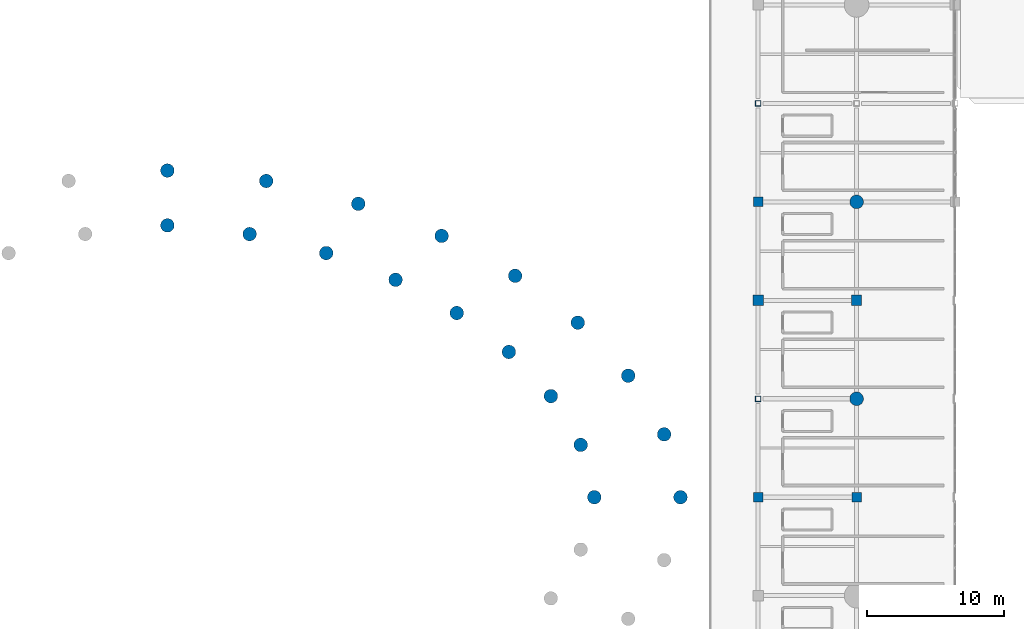
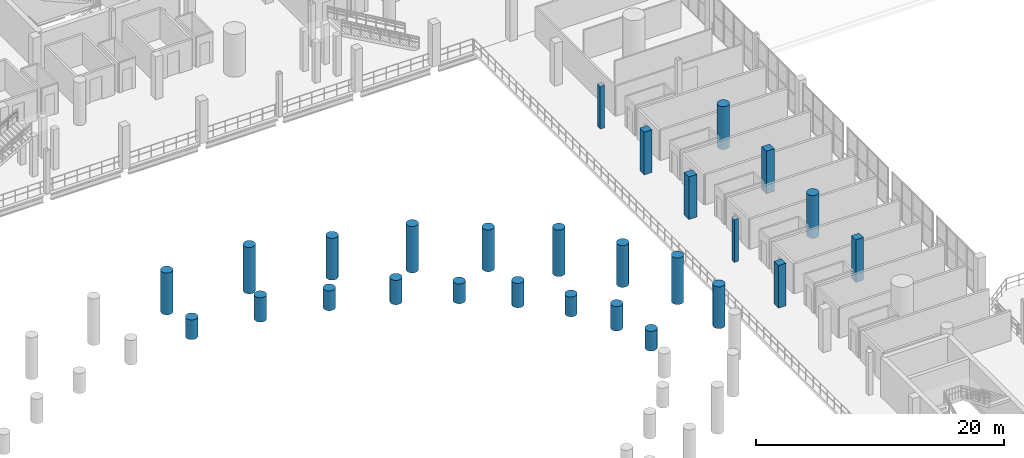
# One storey, part 11 of 130: 27 columns.
"""IFC4 building model written with IfcOpenShell, lengths in metres."""

from ifc_helpers import new_model, si_unit, direction, frame, origin, origin_2d, place, context, subcontext, project, spatial, rectangle, hollow_rectangle, circle, extrude, material, material_profile, profile_set, type_object, element, save


model = new_model("IFC4")

# Units and contexts
model_context = context("Model", 3, precision=1e-05, world=origin(), true_north=direction((0.0, 1.0)))
body_context = subcontext(model_context, "Body", "Model", "MODEL_VIEW")
ifc_project = project(units=[si_unit("LENGTHUNIT", "METRE"), si_unit("AREAUNIT", "SQUARE_METRE"), si_unit("VOLUMEUNIT", "CUBIC_METRE"), si_unit("PLANEANGLEUNIT", "RADIAN"), si_unit("MASSUNIT", "GRAM", prefix="KILO")], contexts=[model_context])

# Site, building, storey
site_placement = place(None, origin())
site = spatial("IfcSite", under=ifc_project, at=site_placement, CompositionType="ELEMENT")
building_placement = place(site_placement, origin())
building = spatial("IfcBuilding", under=site, at=building_placement, Name="Qandorah Velis Arena", CompositionType="ELEMENT")
storey_placement = place(building_placement, frame((0.0, 0.0, 9.60009765625)))
storey = spatial("IfcBuildingStorey", under=building, at=storey_placement, Name="L02", CompositionType="ELEMENT", Elevation=9.60009765625)

# Columns
ifc_material_1 = material(Name="Concrete C40/50", Category="concrete")
ifc_material_profile_1 = material_profile(ifc_material_1, rectangle(XDim=0.699951171875, YDim=0.699951171875, at=origin_2d()), Name="RC COL 700x700")
ifc_profile_set_1 = profile_set([ifc_material_profile_1], Name="Concrete C40/50")
column_type_1 = type_object("IfcColumnType", Name="STR-COL-RC700", PredefinedType="COLUMN", material=ifc_profile_set_1)
for number, where, z_axis, x_axis, name in (
    (1, (108.0, 64.800048828125, 0.0), (0.0, 0.0, 1.0), (1.0, 0.0, 0.0), "Structural column L02-157"),
    (2, (108.0, 86.39990234375, 0.0), (0.0, 0.0, 1.0), (1.0, 0.0, 0.0), "Structural column L02-160"),
    (3, (115.199951171875, 64.800048828125, 0.0), (0.0, 0.0, 1.0), (1.0, 0.0, 0.0), "Structural column L02-175"),
):
    element("IfcColumn", number, at=place(storey_placement, frame(where, z_axis=z_axis, x_axis=x_axis)), inside=storey, type_object=column_type_1, Name=name, PredefinedType="COLUMN", context=body_context, shape_type="SweptSolid", body=[
        extrude(rectangle(XDim=0.699951171875, YDim=0.699951171875, at=origin_2d()), origin(), (0.0, 0.0, 1.0), 4.199951171875),
    ])
ifc_material_profile_2 = material_profile(ifc_material_1, rectangle(XDim=0.75, YDim=0.75, at=origin_2d()), Name="RC COL 750x750")
ifc_profile_set_2 = profile_set([ifc_material_profile_2], Name="Concrete C40/50")
column_type_2 = type_object("IfcColumnType", Name="STR-COL-RC750", PredefinedType="COLUMN", material=ifc_profile_set_2)
for number, where, z_axis, x_axis, name in (
    (4, (108.0, 79.199951171875, 0.0), (0.0, 0.0, 1.0), (1.0, 0.0, 0.0), "Structural column L02-159"),
    (5, (115.199951171875, 79.199951171875, 0.0), (0.0, 0.0, 1.0), (1.0, 0.0, 0.0), "Structural column L02-177"),
):
    element("IfcColumn", number, at=place(storey_placement, frame(where, z_axis=z_axis, x_axis=x_axis)), inside=storey, type_object=column_type_2, Name=name, PredefinedType="COLUMN", context=body_context, shape_type="SweptSolid", body=[
        extrude(rectangle(XDim=0.75, YDim=0.75, at=origin_2d()), origin(), (0.0, 0.0, 1.0), 4.199951171875),
    ])
ifc_material_profile_3 = material_profile(ifc_material_1, circle(Radius=0.5, at=origin_2d()), Name="RC D1000")
ifc_profile_set_3 = profile_set([ifc_material_profile_3], Name="Concrete C40/50")
column_type_3 = type_object("IfcColumnType", Name="STR-COL-RCD1000", PredefinedType="COLUMN", material=ifc_profile_set_3)
for number, where, z_axis, x_axis, name in (
    (6, (115.199951171875, 72.0, 0.0), (0.0, 0.0, 1.0), (1.0, 0.0, 0.0), "Bowl drum ring column L02-176"),
    (7, (115.199951171875, 86.39990234375, 0.0), (0.0, 0.0, 1.0), (1.0, 0.0, 0.0), "Bowl drum ring column L02-178"),
):
    element("IfcColumn", number, at=place(storey_placement, frame(where, z_axis=z_axis, x_axis=x_axis)), inside=storey, type_object=column_type_3, Name=name, PredefinedType="COLUMN", context=body_context, shape_type="SweptSolid", body=[
        extrude(circle(Radius=0.5, at=origin_2d()), origin(), (0.0, 0.0, 1.0), 4.199951171875),
    ])
column_1_placement = place(storey_placement, frame((96.02001953125, 64.800048828125, 0.0), z_axis=(0.0, 0.0, 1.0), x_axis=(1.0, 0.0, 0.0)))
element("IfcColumn", 8, at=column_1_placement, inside=storey, type_object=column_type_3, Name="Upper raker fulcrum column L02 1.1", PredefinedType="COLUMN", context=body_context, shape_type="SweptSolid", body=[
    extrude(circle(Radius=0.5, at=origin_2d()), origin(), (0.0, 0.0, 1.0), 1.94482421875),
])
column_2_placement = place(storey_placement, frame((102.320068359375, 64.800048828125, 0.0), z_axis=(0.0, 0.0, 1.0), x_axis=(1.0, 0.0, 0.0)))
element("IfcColumn", 9, at=column_2_placement, inside=storey, type_object=column_type_3, Name="Outer bowl raker column L02 1.1", PredefinedType="COLUMN", context=body_context, shape_type="SweptSolid", body=[
    extrude(circle(Radius=0.5, at=origin_2d()), origin(), (0.0, 0.0, 1.0), 4.109619140625),
])
column_3_placement = place(storey_placement, frame((95.02587890625, 68.62841796875, 0.0), z_axis=(0.0, 0.0, 1.0), x_axis=(1.0, 0.0, 0.0)))
element("IfcColumn", 10, at=column_3_placement, inside=storey, type_object=column_type_3, Name="Upper raker fulcrum column L02 1.2", PredefinedType="COLUMN", context=body_context, shape_type="SweptSolid", body=[
    extrude(circle(Radius=0.5, at=origin_2d()), origin(), (0.0, 0.0, 1.0), 2.39501953125),
])
column_4_placement = place(storey_placement, frame((101.12548828125, 69.40087890625, 0.0), z_axis=(0.0, 0.0, 1.0), x_axis=(1.0, 0.0, 0.0)))
element("IfcColumn", 11, at=column_4_placement, inside=storey, type_object=column_type_3, Name="Outer bowl raker column L02 1.2", PredefinedType="COLUMN", context=body_context, shape_type="SweptSolid", body=[
    extrude(circle(Radius=0.5, at=origin_2d()), origin(), (0.0, 0.0, 1.0), 4.5595703125),
])
column_5_placement = place(storey_placement, frame((92.840087890625, 72.195556640625, 0.0), z_axis=(0.0, 0.0, 1.0), x_axis=(1.0, 0.0, 0.0)))
element("IfcColumn", 12, at=column_5_placement, inside=storey, type_object=column_type_3, Name="Upper raker fulcrum column L02 2.1", PredefinedType="COLUMN", context=body_context, shape_type="SweptSolid", body=[
    extrude(circle(Radius=0.5, at=origin_2d()), origin(), (0.0, 0.0, 1.0), 1.94482421875),
])
column_6_placement = place(storey_placement, frame((98.498291015625, 73.68798828125, 0.0), z_axis=(0.0, 0.0, 1.0), x_axis=(1.0, 0.0, 0.0)))
element("IfcColumn", 13, at=column_6_placement, inside=storey, type_object=column_type_3, Name="Outer bowl raker column L02 2.1", PredefinedType="COLUMN", context=body_context, shape_type="SweptSolid", body=[
    extrude(circle(Radius=0.5, at=origin_2d()), origin(), (0.0, 0.0, 1.0), 4.109619140625),
])
column_7_placement = place(storey_placement, frame((89.772216796875, 75.4248046875, 0.0), z_axis=(0.0, 0.0, 1.0), x_axis=(1.0, 0.0, 0.0)))
element("IfcColumn", 14, at=column_7_placement, inside=storey, type_object=column_type_3, Name="Upper raker fulcrum column L02 2.2", PredefinedType="COLUMN", context=body_context, shape_type="SweptSolid", body=[
    extrude(circle(Radius=0.5, at=origin_2d()), origin(), (0.0, 0.0, 1.0), 2.39501953125),
])
column_8_placement = place(storey_placement, frame((94.8115234375, 77.56884765625, 0.0), z_axis=(0.0, 0.0, 1.0), x_axis=(1.0, 0.0, 0.0)))
element("IfcColumn", 15, at=column_8_placement, inside=storey, type_object=column_type_3, Name="Outer bowl raker column L02 2.2", PredefinedType="COLUMN", context=body_context, shape_type="SweptSolid", body=[
    extrude(circle(Radius=0.5, at=origin_2d()), origin(), (0.0, 0.0, 1.0), 4.5595703125),
])
column_9_placement = place(storey_placement, frame((85.959716796875, 78.2734375, 0.0), z_axis=(0.0, 0.0, 1.0), x_axis=(1.0, 0.0, 0.0)))
element("IfcColumn", 16, at=column_9_placement, inside=storey, type_object=column_type_3, Name="Upper raker fulcrum column L02 3.1", PredefinedType="COLUMN", context=body_context, shape_type="SweptSolid", body=[
    extrude(circle(Radius=0.5, at=origin_2d()), origin(), (0.0, 0.0, 1.0), 1.94482421875),
])
column_10_placement = place(storey_placement, frame((90.229736328125, 80.992431640625, 0.0), z_axis=(0.0, 0.0, 1.0), x_axis=(1.0, 0.0, 0.0)))
element("IfcColumn", 17, at=column_10_placement, inside=storey, type_object=column_type_3, Name="Outer bowl raker column L02 3.1", PredefinedType="COLUMN", context=body_context, shape_type="SweptSolid", body=[
    extrude(circle(Radius=0.5, at=origin_2d()), origin(), (0.0, 0.0, 1.0), 4.109619140625),
])
column_11_placement = place(storey_placement, frame((81.486083984375, 80.701171875, 0.0), z_axis=(0.0, 0.0, 1.0), x_axis=(1.0, 0.0, 0.0)))
element("IfcColumn", 18, at=column_11_placement, inside=storey, type_object=column_type_3, Name="Upper raker fulcrum column L02 3.2", PredefinedType="COLUMN", context=body_context, shape_type="SweptSolid", body=[
    extrude(circle(Radius=0.5, at=origin_2d()), origin(), (0.0, 0.0, 1.0), 2.39501953125),
])
column_12_placement = place(storey_placement, frame((84.85302734375, 83.909912109375, 0.0), z_axis=(0.0, 0.0, 1.0), x_axis=(1.0, 0.0, 0.0)))
element("IfcColumn", 19, at=column_12_placement, inside=storey, type_object=column_type_3, Name="Outer bowl raker column L02 3.2", PredefinedType="COLUMN", context=body_context, shape_type="SweptSolid", body=[
    extrude(circle(Radius=0.5, at=origin_2d()), origin(), (0.0, 0.0, 1.0), 4.5595703125),
])
column_13_placement = place(storey_placement, frame((76.41455078125, 82.654541015625, 0.0), z_axis=(0.0, 0.0, 1.0), x_axis=(1.0, 0.0, 0.0)))
element("IfcColumn", 20, at=column_13_placement, inside=storey, type_object=column_type_3, Name="Upper raker fulcrum column L02 4.1", PredefinedType="COLUMN", context=body_context, shape_type="SweptSolid", body=[
    extrude(circle(Radius=0.5, at=origin_2d()), origin(), (0.0, 0.0, 1.0), 1.94482421875),
])
column_14_placement = place(storey_placement, frame((78.75830078125, 86.25732421875, 0.0), z_axis=(0.0, 0.0, 1.0), x_axis=(1.0, 0.0, 0.0)))
element("IfcColumn", 21, at=column_14_placement, inside=storey, type_object=column_type_3, Name="Outer bowl raker column L02 4.1", PredefinedType="COLUMN", context=body_context, shape_type="SweptSolid", body=[
    extrude(circle(Radius=0.5, at=origin_2d()), origin(), (0.0, 0.0, 1.0), 4.109619140625),
])
column_15_placement = place(storey_placement, frame((70.812255859375, 84.04638671875, 0.0), z_axis=(0.0, 0.0, 1.0), x_axis=(1.0, 0.0, 0.0)))
element("IfcColumn", 22, at=column_15_placement, inside=storey, type_object=column_type_3, Name="Upper raker fulcrum column L02 4.2", PredefinedType="COLUMN", context=body_context, shape_type="SweptSolid", body=[
    extrude(circle(Radius=0.5, at=origin_2d()), origin(), (0.0, 0.0, 1.0), 2.39501953125),
])
column_16_placement = place(storey_placement, frame((72.025634765625, 87.930419921875, 0.0), z_axis=(0.0, 0.0, 1.0), x_axis=(1.0, 0.0, 0.0)))
element("IfcColumn", 23, at=column_16_placement, inside=storey, type_object=column_type_3, Name="Outer bowl raker column L02 4.2", PredefinedType="COLUMN", context=body_context, shape_type="SweptSolid", body=[
    extrude(circle(Radius=0.5, at=origin_2d()), origin(), (0.0, 0.0, 1.0), 4.5595703125),
])
column_17_placement = place(storey_placement, frame((64.800048828125, 84.679443359375, 0.0), z_axis=(0.0, 0.0, 1.0), x_axis=(1.0, 0.0, 0.0)))
element("IfcColumn", 24, at=column_17_placement, inside=storey, type_object=column_type_3, Name="Upper raker fulcrum column L02 5.1", PredefinedType="COLUMN", context=body_context, shape_type="SweptSolid", body=[
    extrude(circle(Radius=0.5, at=origin_2d()), origin(), (0.0, 0.0, 1.0), 1.94482421875),
])
column_18_placement = place(storey_placement, frame((64.800048828125, 88.69091796875, 0.0), z_axis=(0.0, 0.0, 1.0), x_axis=(1.0, 0.0, 0.0)))
element("IfcColumn", 25, at=column_18_placement, inside=storey, type_object=column_type_3, Name="Outer bowl raker column L02 5.1", PredefinedType="COLUMN", context=body_context, shape_type="SweptSolid", body=[
    extrude(circle(Radius=0.5, at=origin_2d()), origin(), (0.0, 0.0, 1.0), 4.109619140625),
])
ifc_material_2 = material(Name="Steel S355", Category="steel")
ifc_material_profile_4 = material_profile(ifc_material_2, hollow_rectangle(XDim=0.39990234375, YDim=0.39990234375, WallThickness=0.02001953125, at=origin_2d()), Name="SHS 400x400x20")
ifc_profile_set_4 = profile_set([ifc_material_profile_4], Name="Steel S355")
column_type_4 = type_object("IfcColumnType", Name="STR-COL-SHS400", PredefinedType="COLUMN", material=ifc_profile_set_4)
for number, where, z_axis, x_axis, name in (
    (26, (108.0, 72.0, 0.0), (0.0, 0.0, 1.0), (1.0, 0.0, 0.0), "Structural column L02-158"),
    (27, (108.0, 93.60009765625, 0.0), (0.0, 0.0, 1.0), (1.0, 0.0, 0.0), "Structural column L02-161"),
):
    element("IfcColumn", number, at=place(storey_placement, frame(where, z_axis=z_axis, x_axis=x_axis)), inside=storey, type_object=column_type_4, Name=name, PredefinedType="COLUMN", context=body_context, shape_type="SweptSolid", body=[
        extrude(hollow_rectangle(XDim=0.39990234375, YDim=0.39990234375, WallThickness=0.02001953125, at=origin_2d()), origin(), (0.0, 0.0, 1.0), 4.199951171875),
    ])

save(model, "model.ifc")
